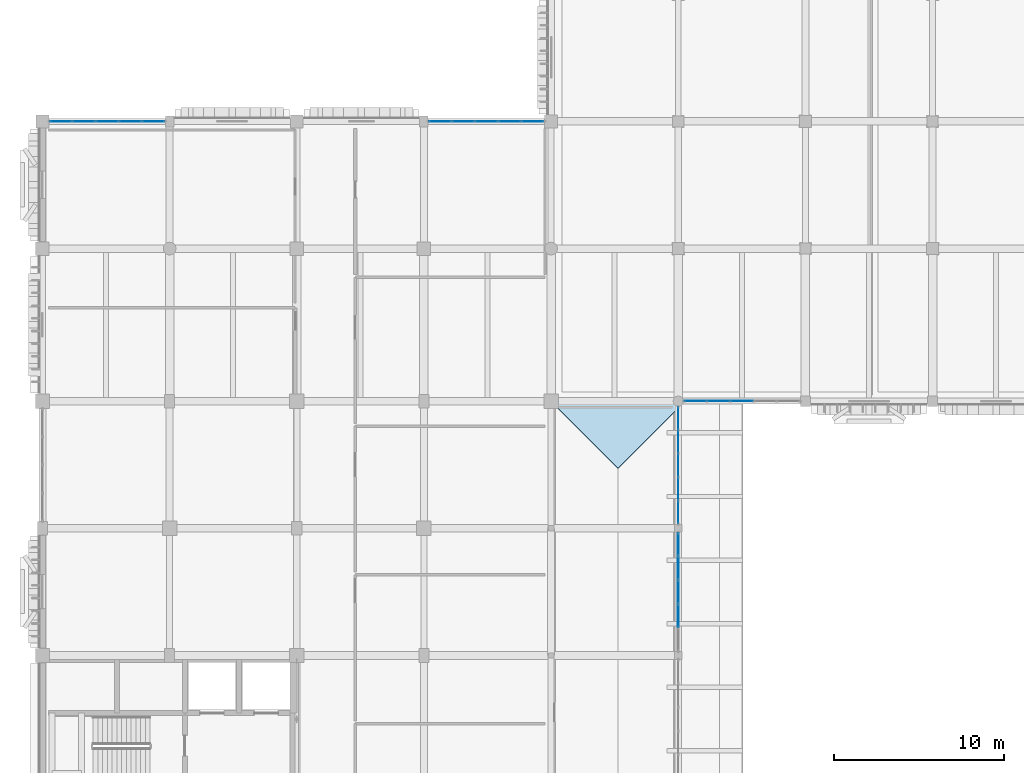
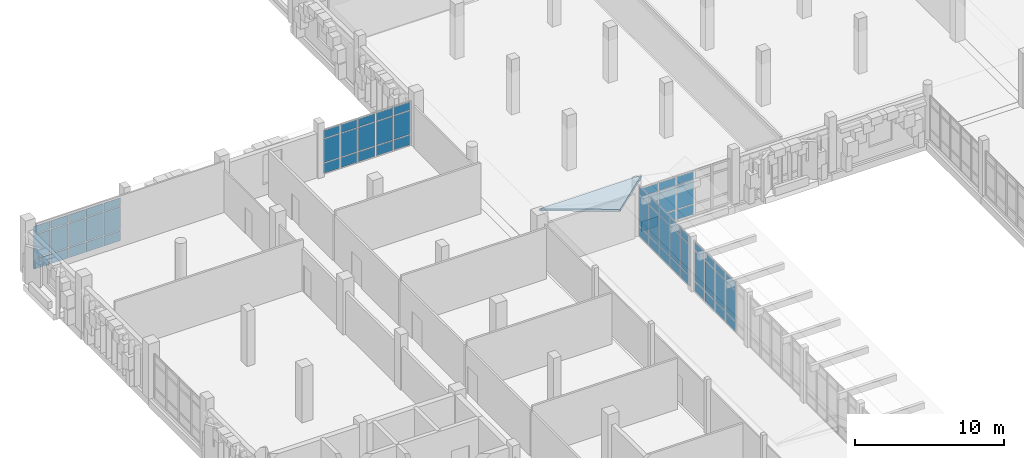
# One storey, part 82 of 128: 66 plates, 1 slab, 6 elements without a shape of their own.
"""IFC4 building model written with IfcOpenShell, lengths in metres."""

from ifc_helpers import new_model, si_unit, direction, frame, origin, origin_2d, place, context, subcontext, project, spatial, polyline, rectangle, outline, extrude, material, layer, layer_set, type_object, element, aggregate, save


model = new_model("IFC4")

# Units and contexts
model_context = context("Model", 3, precision=1e-05, world=origin(), true_north=direction((0.0, 1.0)))
body_context = subcontext(model_context, "Body", "Model", "MODEL_VIEW")
ifc_project = project(units=[si_unit("LENGTHUNIT", "METRE"), si_unit("AREAUNIT", "SQUARE_METRE"), si_unit("VOLUMEUNIT", "CUBIC_METRE"), si_unit("PLANEANGLEUNIT", "RADIAN"), si_unit("MASSUNIT", "GRAM", prefix="KILO")], contexts=[model_context])

# Site, building, storey
site_placement = place(None, origin())
site = spatial("IfcSite", under=ifc_project, at=site_placement, CompositionType="ELEMENT")
building_placement = place(site_placement, origin())
building = spatial("IfcBuilding", under=site, at=building_placement, Name="Dalvernix Boulevard General Hospital", CompositionType="ELEMENT")
storey_placement = place(building_placement, frame((0.0, 0.0, 4.800048828125)))
storey = spatial("IfcBuildingStorey", under=building, at=storey_placement, Name="L01", CompositionType="ELEMENT", Elevation=4.800048828125)

# Curtain wall, plates
ifc_material_1 = material(Name="Thermally broken aluminium and solar-control glass curtain wall", Category="aluminium")
ifc_layer_1 = layer(ifc_material_1, 0.159912109375)
ifc_layer_set_1 = layer_set([ifc_layer_1], Name="Thermally broken aluminium and solar-control glass curtain wall (CW-CW-A-70x42)")
curtain_wall_type_1 = type_object("IfcCurtainWallType", Name="CW-CW-A-70x42", PredefinedType="USERDEFINED", material=ifc_layer_set_1)
curtain_wall_1_placement = place(storey_placement, origin())
curtain_wall_1 = element("IfcCurtainWall", 1, at=curtain_wall_1_placement, inside=storey, type_object=curtain_wall_type_1, Name="L01 curtain wall CW-A-70x42 5-9", ObjectType="GLAZED FACADE", PredefinedType="USERDEFINED")
ifc_material_2 = material(Name="Double-glazed solar-control low-emissivity glass", Category="glass")
ifc_layer_2 = layer(ifc_material_2, 0.02392578125)
ifc_layer_set_2 = layer_set([ifc_layer_2], Name="Double-glazed solar-control low-emissivity glass (PLT-CW-P1)")
plate_type_1 = type_object("IfcPlateType", Name="PLT-CW-P1", PredefinedType="CURTAIN_PANEL", material=ifc_layer_set_2)
plate_1_placement = place(storey_placement, frame((37.5, 75.4794921875, 0.059814453125), z_axis=(0.0, 0.0, 1.0), x_axis=(0.0, -1.0, 0.0)))
plate_1 = element("IfcPlate", 2, at=plate_1_placement, type_object=plate_type_1, Name="CW-A-70x42 panel 1.1", PredefinedType="CURTAIN_PANEL", context=body_context, shape_type="SweptSolid", body=[
    extrude(rectangle(XDim=1.301025390625, YDim=0.02392578125, at=origin_2d()), origin(), (0.0, 0.0, 1.0), 0.81005859375),
])
plate_2_placement = place(storey_placement, frame((37.5, 75.4794921875, 0.93017578125), z_axis=(0.0, 0.0, 1.0), x_axis=(0.0, -1.0, 0.0)))
plate_2 = element("IfcPlate", 3, at=plate_2_placement, type_object=plate_type_1, Name="CW-A-70x42 panel 1.2", PredefinedType="CURTAIN_PANEL", context=body_context, shape_type="SweptSolid", body=[
    extrude(rectangle(XDim=1.301025390625, YDim=0.02392578125, at=origin_2d()), origin(), (0.0, 0.0, 1.0), 2.469970703125),
])
plate_3_placement = place(storey_placement, frame((37.5, 75.4794921875, 3.4599609375), z_axis=(0.0, 0.0, 1.0), x_axis=(0.0, -1.0, 0.0)))
plate_3 = element("IfcPlate", 4, at=plate_3_placement, type_object=plate_type_1, Name="CW-A-70x42 panel 1.3", PredefinedType="CURTAIN_PANEL", context=body_context, shape_type="SweptSolid", body=[
    extrude(rectangle(XDim=1.301025390625, YDim=0.02392578125, at=origin_2d()), origin(), (0.0, 0.0, 1.0), 0.659912109375),
])
plate_4_placement = place(storey_placement, frame((37.5, 74.103515625, 0.059814453125), z_axis=(0.0, 0.0, 1.0), x_axis=(0.0, -1.0, 0.0)))
plate_4 = element("IfcPlate", 5, at=plate_4_placement, type_object=plate_type_1, Name="CW-A-70x42 panel 2.1", PredefinedType="CURTAIN_PANEL", context=body_context, shape_type="SweptSolid", body=[
    extrude(rectangle(XDim=1.3310546875, YDim=0.02392578125, at=origin_2d()), origin(), (0.0, 0.0, 1.0), 0.81005859375),
])
plate_5_placement = place(storey_placement, frame((37.5, 74.103515625, 0.93017578125), z_axis=(0.0, 0.0, 1.0), x_axis=(0.0, -1.0, 0.0)))
plate_5 = element("IfcPlate", 6, at=plate_5_placement, type_object=plate_type_1, Name="CW-A-70x42 panel 2.2", PredefinedType="CURTAIN_PANEL", context=body_context, shape_type="SweptSolid", body=[
    extrude(rectangle(XDim=1.3310546875, YDim=0.02392578125, at=origin_2d()), origin(), (0.0, 0.0, 1.0), 2.469970703125),
])
plate_6_placement = place(storey_placement, frame((37.5, 74.103515625, 3.4599609375), z_axis=(0.0, 0.0, 1.0), x_axis=(0.0, -1.0, 0.0)))
plate_6 = element("IfcPlate", 7, at=plate_6_placement, type_object=plate_type_1, Name="CW-A-70x42 panel 2.3", PredefinedType="CURTAIN_PANEL", context=body_context, shape_type="SweptSolid", body=[
    extrude(rectangle(XDim=1.3310546875, YDim=0.02392578125, at=origin_2d()), origin(), (0.0, 0.0, 1.0), 0.659912109375),
])
plate_7_placement = place(storey_placement, frame((37.5, 72.71240234375, 0.059814453125), z_axis=(0.0, 0.0, 1.0), x_axis=(0.0, -1.0, 0.0)))
plate_7 = element("IfcPlate", 8, at=plate_7_placement, type_object=plate_type_1, Name="CW-A-70x42 panel 3.1", PredefinedType="CURTAIN_PANEL", context=body_context, shape_type="SweptSolid", body=[
    extrude(rectangle(XDim=1.3310546875, YDim=0.02392578125, at=origin_2d()), origin(), (0.0, 0.0, 1.0), 0.81005859375),
])
plate_8_placement = place(storey_placement, frame((37.5, 72.71240234375, 0.93017578125), z_axis=(0.0, 0.0, 1.0), x_axis=(0.0, -1.0, 0.0)))
plate_8 = element("IfcPlate", 9, at=plate_8_placement, type_object=plate_type_1, Name="CW-A-70x42 panel 3.2", PredefinedType="CURTAIN_PANEL", context=body_context, shape_type="SweptSolid", body=[
    extrude(rectangle(XDim=1.3310546875, YDim=0.02392578125, at=origin_2d()), origin(), (0.0, 0.0, 1.0), 2.469970703125),
])
plate_9_placement = place(storey_placement, frame((37.5, 72.71240234375, 3.4599609375), z_axis=(0.0, 0.0, 1.0), x_axis=(0.0, -1.0, 0.0)))
plate_9 = element("IfcPlate", 10, at=plate_9_placement, type_object=plate_type_1, Name="CW-A-70x42 panel 3.3", PredefinedType="CURTAIN_PANEL", context=body_context, shape_type="SweptSolid", body=[
    extrude(rectangle(XDim=1.3310546875, YDim=0.02392578125, at=origin_2d()), origin(), (0.0, 0.0, 1.0), 0.659912109375),
])
plate_10_placement = place(storey_placement, frame((37.5, 71.321533203125, 0.059814453125), z_axis=(0.0, 0.0, 1.0), x_axis=(0.0, -1.0, 0.0)))
plate_10 = element("IfcPlate", 11, at=plate_10_placement, type_object=plate_type_1, Name="CW-A-70x42 panel 4.1", PredefinedType="CURTAIN_PANEL", context=body_context, shape_type="SweptSolid", body=[
    extrude(rectangle(XDim=1.3310546875, YDim=0.02392578125, at=origin_2d()), origin(), (0.0, 0.0, 1.0), 0.81005859375),
])
plate_11_placement = place(storey_placement, frame((37.5, 71.321533203125, 0.93017578125), z_axis=(0.0, 0.0, 1.0), x_axis=(0.0, -1.0, 0.0)))
plate_11 = element("IfcPlate", 12, at=plate_11_placement, type_object=plate_type_1, Name="CW-A-70x42 panel 4.2", PredefinedType="CURTAIN_PANEL", context=body_context, shape_type="SweptSolid", body=[
    extrude(rectangle(XDim=1.3310546875, YDim=0.02392578125, at=origin_2d()), origin(), (0.0, 0.0, 1.0), 2.469970703125),
])
plate_12_placement = place(storey_placement, frame((37.5, 71.321533203125, 3.4599609375), z_axis=(0.0, 0.0, 1.0), x_axis=(0.0, -1.0, 0.0)))
plate_12 = element("IfcPlate", 13, at=plate_12_placement, type_object=plate_type_1, Name="CW-A-70x42 panel 4.3", PredefinedType="CURTAIN_PANEL", context=body_context, shape_type="SweptSolid", body=[
    extrude(rectangle(XDim=1.3310546875, YDim=0.02392578125, at=origin_2d()), origin(), (0.0, 0.0, 1.0), 0.659912109375),
])
plate_13_placement = place(storey_placement, frame((37.5, 69.945556640625, 0.059814453125), z_axis=(0.0, 0.0, 1.0), x_axis=(0.0, -1.0, 0.0)))
plate_13 = element("IfcPlate", 14, at=plate_13_placement, type_object=plate_type_1, Name="CW-A-70x42 panel 5.1", PredefinedType="CURTAIN_PANEL", context=body_context, shape_type="SweptSolid", body=[
    extrude(rectangle(XDim=1.301025390625, YDim=0.02392578125, at=origin_2d()), origin(), (0.0, 0.0, 1.0), 0.81005859375),
])
plate_14_placement = place(storey_placement, frame((37.5, 69.945556640625, 0.93017578125), z_axis=(0.0, 0.0, 1.0), x_axis=(0.0, -1.0, 0.0)))
plate_14 = element("IfcPlate", 15, at=plate_14_placement, type_object=plate_type_1, Name="CW-A-70x42 panel 5.2", PredefinedType="CURTAIN_PANEL", context=body_context, shape_type="SweptSolid", body=[
    extrude(rectangle(XDim=1.301025390625, YDim=0.02392578125, at=origin_2d()), origin(), (0.0, 0.0, 1.0), 2.469970703125),
])
plate_15_placement = place(storey_placement, frame((37.5, 69.945556640625, 3.4599609375), z_axis=(0.0, 0.0, 1.0), x_axis=(0.0, -1.0, 0.0)))
plate_15 = element("IfcPlate", 16, at=plate_15_placement, type_object=plate_type_1, Name="CW-A-70x42 panel 5.3", PredefinedType="CURTAIN_PANEL", context=body_context, shape_type="SweptSolid", body=[
    extrude(rectangle(XDim=1.301025390625, YDim=0.02392578125, at=origin_2d()), origin(), (0.0, 0.0, 1.0), 0.659912109375),
])
aggregate(curtain_wall_1, [plate_1, plate_2, plate_3, plate_4, plate_5, plate_6, plate_7, plate_8, plate_9, plate_10, plate_11, plate_12, plate_13, plate_14, plate_15])

ifc_layer_3 = layer(ifc_material_1, 0.179931640625)
ifc_layer_set_3 = layer_set([ifc_layer_3], Name="Thermally broken aluminium and solar-control glass curtain wall (CW-CW-B-69x36)")
curtain_wall_type_2 = type_object("IfcCurtainWallType", Name="CW-CW-B-69x36", PredefinedType="USERDEFINED", material=ifc_layer_set_3)
curtain_wall_2_placement = place(storey_placement, origin())
curtain_wall_2 = element("IfcCurtainWall", 17, at=curtain_wall_2_placement, inside=storey, type_object=curtain_wall_type_2, Name="L01 curtain wall CW-B-69x36 0-12", ObjectType="GLAZED FACADE", PredefinedType="USERDEFINED")
ifc_layer_4 = layer(ifc_material_2, 0.028076171875)
ifc_layer_set_4 = layer_set([ifc_layer_4], Name="Double-glazed solar-control low-emissivity glass (PLT-CW-P2)")
plate_type_2 = type_object("IfcPlateType", Name="PLT-CW-P2", PredefinedType="CURTAIN_PANEL", material=ifc_layer_set_4)
plate_16_placement = place(storey_placement, frame((1.086669921875, 93.0, 0.06494140625), z_axis=(0.0, 0.0, 1.0), x_axis=(1.0, 0.0, 0.0)))
plate_16 = element("IfcPlate", 18, at=plate_16_placement, type_object=plate_type_2, Name="CW-B-69x36 panel 1.1", PredefinedType="CURTAIN_PANEL", context=body_context, shape_type="SweptSolid", body=[
    extrude(rectangle(XDim=1.2734375, YDim=0.028076171875, at=origin_2d()), origin(), (0.0, 0.0, 1.0), 0.802490234375),
])
plate_17_placement = place(storey_placement, frame((1.086669921875, 93.0, 0.932373046875), z_axis=(0.0, 0.0, 1.0), x_axis=(1.0, 0.0, 0.0)))
plate_17 = element("IfcPlate", 19, at=plate_17_placement, type_object=plate_type_2, Name="CW-B-69x36 panel 1.2", PredefinedType="CURTAIN_PANEL", context=body_context, shape_type="SweptSolid", body=[
    extrude(rectangle(XDim=1.2734375, YDim=0.028076171875, at=origin_2d()), origin(), (0.0, 0.0, 1.0), 1.9150390625),
])
plate_18_placement = place(storey_placement, frame((1.086669921875, 93.0, 2.91259765625), z_axis=(0.0, 0.0, 1.0), x_axis=(1.0, 0.0, 0.0)))
plate_18 = element("IfcPlate", 20, at=plate_18_placement, type_object=plate_type_2, Name="CW-B-69x36 panel 1.3", PredefinedType="CURTAIN_PANEL", context=body_context, shape_type="SweptSolid", body=[
    extrude(rectangle(XDim=1.2734375, YDim=0.028076171875, at=origin_2d()), origin(), (0.0, 0.0, 1.0), 0.652587890625),
])
plate_19_placement = place(storey_placement, frame((2.44140625, 93.0, 0.06494140625), z_axis=(0.0, 0.0, 1.0), x_axis=(1.0, 0.0, 0.0)))
plate_19 = element("IfcPlate", 21, at=plate_19_placement, type_object=plate_type_2, Name="CW-B-69x36 panel 2.1", PredefinedType="CURTAIN_PANEL", context=body_context, shape_type="SweptSolid", body=[
    extrude(rectangle(XDim=1.305908203125, YDim=0.028076171875, at=origin_2d()), origin(), (0.0, 0.0, 1.0), 0.802490234375),
])
plate_20_placement = place(storey_placement, frame((2.44140625, 93.0, 0.932373046875), z_axis=(0.0, 0.0, 1.0), x_axis=(1.0, 0.0, 0.0)))
plate_20 = element("IfcPlate", 22, at=plate_20_placement, type_object=plate_type_2, Name="CW-B-69x36 panel 2.2", PredefinedType="CURTAIN_PANEL", context=body_context, shape_type="SweptSolid", body=[
    extrude(rectangle(XDim=1.305908203125, YDim=0.028076171875, at=origin_2d()), origin(), (0.0, 0.0, 1.0), 1.9150390625),
])
plate_21_placement = place(storey_placement, frame((2.44140625, 93.0, 2.91259765625), z_axis=(0.0, 0.0, 1.0), x_axis=(1.0, 0.0, 0.0)))
plate_21 = element("IfcPlate", 23, at=plate_21_placement, type_object=plate_type_2, Name="CW-B-69x36 panel 2.3", PredefinedType="CURTAIN_PANEL", context=body_context, shape_type="SweptSolid", body=[
    extrude(rectangle(XDim=1.305908203125, YDim=0.028076171875, at=origin_2d()), origin(), (0.0, 0.0, 1.0), 0.652587890625),
])
plate_22_placement = place(storey_placement, frame((3.8125, 93.0, 0.06494140625), z_axis=(0.0, 0.0, 1.0), x_axis=(1.0, 0.0, 0.0)))
plate_22 = element("IfcPlate", 24, at=plate_22_placement, type_object=plate_type_2, Name="CW-B-69x36 panel 3.1", PredefinedType="CURTAIN_PANEL", context=body_context, shape_type="SweptSolid", body=[
    extrude(rectangle(XDim=1.305908203125, YDim=0.028076171875, at=origin_2d()), origin(), (0.0, 0.0, 1.0), 0.802490234375),
])
plate_23_placement = place(storey_placement, frame((3.8125, 93.0, 0.932373046875), z_axis=(0.0, 0.0, 1.0), x_axis=(1.0, 0.0, 0.0)))
plate_23 = element("IfcPlate", 25, at=plate_23_placement, type_object=plate_type_2, Name="CW-B-69x36 panel 3.2", PredefinedType="CURTAIN_PANEL", context=body_context, shape_type="SweptSolid", body=[
    extrude(rectangle(XDim=1.305908203125, YDim=0.028076171875, at=origin_2d()), origin(), (0.0, 0.0, 1.0), 1.9150390625),
])
plate_24_placement = place(storey_placement, frame((3.8125, 93.0, 2.91259765625), z_axis=(0.0, 0.0, 1.0), x_axis=(1.0, 0.0, 0.0)))
plate_24 = element("IfcPlate", 26, at=plate_24_placement, type_object=plate_type_2, Name="CW-B-69x36 panel 3.3", PredefinedType="CURTAIN_PANEL", context=body_context, shape_type="SweptSolid", body=[
    extrude(rectangle(XDim=1.305908203125, YDim=0.028076171875, at=origin_2d()), origin(), (0.0, 0.0, 1.0), 0.652587890625),
])
plate_25_placement = place(storey_placement, frame((5.18359375, 93.0, 0.06494140625), z_axis=(0.0, 0.0, 1.0), x_axis=(1.0, 0.0, 0.0)))
plate_25 = element("IfcPlate", 27, at=plate_25_placement, type_object=plate_type_2, Name="CW-B-69x36 panel 4.1", PredefinedType="CURTAIN_PANEL", context=body_context, shape_type="SweptSolid", body=[
    extrude(rectangle(XDim=1.305908203125, YDim=0.028076171875, at=origin_2d()), origin(), (0.0, 0.0, 1.0), 0.802490234375),
])
plate_26_placement = place(storey_placement, frame((5.18359375, 93.0, 0.932373046875), z_axis=(0.0, 0.0, 1.0), x_axis=(1.0, 0.0, 0.0)))
plate_26 = element("IfcPlate", 28, at=plate_26_placement, type_object=plate_type_2, Name="CW-B-69x36 panel 4.2", PredefinedType="CURTAIN_PANEL", context=body_context, shape_type="SweptSolid", body=[
    extrude(rectangle(XDim=1.305908203125, YDim=0.028076171875, at=origin_2d()), origin(), (0.0, 0.0, 1.0), 1.9150390625),
])
plate_27_placement = place(storey_placement, frame((5.18359375, 93.0, 2.91259765625), z_axis=(0.0, 0.0, 1.0), x_axis=(1.0, 0.0, 0.0)))
plate_27 = element("IfcPlate", 29, at=plate_27_placement, type_object=plate_type_2, Name="CW-B-69x36 panel 4.3", PredefinedType="CURTAIN_PANEL", context=body_context, shape_type="SweptSolid", body=[
    extrude(rectangle(XDim=1.305908203125, YDim=0.028076171875, at=origin_2d()), origin(), (0.0, 0.0, 1.0), 0.652587890625),
])
plate_28_placement = place(storey_placement, frame((6.538330078125, 93.0, 0.06494140625), z_axis=(0.0, 0.0, 1.0), x_axis=(1.0, 0.0, 0.0)))
plate_28 = element("IfcPlate", 30, at=plate_28_placement, type_object=plate_type_2, Name="CW-B-69x36 panel 5.1", PredefinedType="CURTAIN_PANEL", context=body_context, shape_type="SweptSolid", body=[
    extrude(rectangle(XDim=1.2734375, YDim=0.028076171875, at=origin_2d()), origin(), (0.0, 0.0, 1.0), 0.802490234375),
])
plate_29_placement = place(storey_placement, frame((6.538330078125, 93.0, 0.932373046875), z_axis=(0.0, 0.0, 1.0), x_axis=(1.0, 0.0, 0.0)))
plate_29 = element("IfcPlate", 31, at=plate_29_placement, type_object=plate_type_2, Name="CW-B-69x36 panel 5.2", PredefinedType="CURTAIN_PANEL", context=body_context, shape_type="SweptSolid", body=[
    extrude(rectangle(XDim=1.2734375, YDim=0.028076171875, at=origin_2d()), origin(), (0.0, 0.0, 1.0), 1.9150390625),
])
plate_30_placement = place(storey_placement, frame((6.538330078125, 93.0, 2.91259765625), z_axis=(0.0, 0.0, 1.0), x_axis=(1.0, 0.0, 0.0)))
plate_30 = element("IfcPlate", 32, at=plate_30_placement, type_object=plate_type_2, Name="CW-B-69x36 panel 5.3", PredefinedType="CURTAIN_PANEL", context=body_context, shape_type="SweptSolid", body=[
    extrude(rectangle(XDim=1.2734375, YDim=0.028076171875, at=origin_2d()), origin(), (0.0, 0.0, 1.0), 0.652587890625),
])
aggregate(curtain_wall_2, [plate_16, plate_17, plate_18, plate_19, plate_20, plate_21, plate_22, plate_23, plate_24, plate_25, plate_26, plate_27, plate_28, plate_29, plate_30])

curtain_wall_3_placement = place(storey_placement, origin())
curtain_wall_3 = element("IfcCurtainWall", 33, at=curtain_wall_3_placement, inside=storey, type_object=curtain_wall_type_2, Name="L01 curtain wall CW-B-69x36 3-12", ObjectType="GLAZED FACADE", PredefinedType="USERDEFINED")
plate_31_placement = place(storey_placement, frame((23.461669921875, 93.0, 0.06494140625), z_axis=(0.0, 0.0, 1.0), x_axis=(1.0, 0.0, 0.0)))
plate_31 = element("IfcPlate", 34, at=plate_31_placement, type_object=plate_type_2, Name="CW-B-69x36 panel 1.1", PredefinedType="CURTAIN_PANEL", context=body_context, shape_type="SweptSolid", body=[
    extrude(rectangle(XDim=1.2734375, YDim=0.028076171875, at=origin_2d()), origin(), (0.0, 0.0, 1.0), 0.802490234375),
])
plate_32_placement = place(storey_placement, frame((23.461669921875, 93.0, 0.932373046875), z_axis=(0.0, 0.0, 1.0), x_axis=(1.0, 0.0, 0.0)))
plate_32 = element("IfcPlate", 35, at=plate_32_placement, type_object=plate_type_2, Name="CW-B-69x36 panel 1.2", PredefinedType="CURTAIN_PANEL", context=body_context, shape_type="SweptSolid", body=[
    extrude(rectangle(XDim=1.2734375, YDim=0.028076171875, at=origin_2d()), origin(), (0.0, 0.0, 1.0), 1.9150390625),
])
plate_33_placement = place(storey_placement, frame((23.461669921875, 93.0, 2.91259765625), z_axis=(0.0, 0.0, 1.0), x_axis=(1.0, 0.0, 0.0)))
plate_33 = element("IfcPlate", 36, at=plate_33_placement, type_object=plate_type_2, Name="CW-B-69x36 panel 1.3", PredefinedType="CURTAIN_PANEL", context=body_context, shape_type="SweptSolid", body=[
    extrude(rectangle(XDim=1.2734375, YDim=0.028076171875, at=origin_2d()), origin(), (0.0, 0.0, 1.0), 0.652587890625),
])
plate_34_placement = place(storey_placement, frame((24.81640625, 93.0, 0.06494140625), z_axis=(0.0, 0.0, 1.0), x_axis=(1.0, 0.0, 0.0)))
plate_34 = element("IfcPlate", 37, at=plate_34_placement, type_object=plate_type_2, Name="CW-B-69x36 panel 2.1", PredefinedType="CURTAIN_PANEL", context=body_context, shape_type="SweptSolid", body=[
    extrude(rectangle(XDim=1.305908203125, YDim=0.028076171875, at=origin_2d()), origin(), (0.0, 0.0, 1.0), 0.802490234375),
])
plate_35_placement = place(storey_placement, frame((24.81640625, 93.0, 0.932373046875), z_axis=(0.0, 0.0, 1.0), x_axis=(1.0, 0.0, 0.0)))
plate_35 = element("IfcPlate", 38, at=plate_35_placement, type_object=plate_type_2, Name="CW-B-69x36 panel 2.2", PredefinedType="CURTAIN_PANEL", context=body_context, shape_type="SweptSolid", body=[
    extrude(rectangle(XDim=1.305908203125, YDim=0.028076171875, at=origin_2d()), origin(), (0.0, 0.0, 1.0), 1.9150390625),
])
plate_36_placement = place(storey_placement, frame((24.81640625, 93.0, 2.91259765625), z_axis=(0.0, 0.0, 1.0), x_axis=(1.0, 0.0, 0.0)))
plate_36 = element("IfcPlate", 39, at=plate_36_placement, type_object=plate_type_2, Name="CW-B-69x36 panel 2.3", PredefinedType="CURTAIN_PANEL", context=body_context, shape_type="SweptSolid", body=[
    extrude(rectangle(XDim=1.305908203125, YDim=0.028076171875, at=origin_2d()), origin(), (0.0, 0.0, 1.0), 0.652587890625),
])
plate_37_placement = place(storey_placement, frame((26.1875, 93.0, 0.06494140625), z_axis=(0.0, 0.0, 1.0), x_axis=(1.0, 0.0, 0.0)))
plate_37 = element("IfcPlate", 40, at=plate_37_placement, type_object=plate_type_2, Name="CW-B-69x36 panel 3.1", PredefinedType="CURTAIN_PANEL", context=body_context, shape_type="SweptSolid", body=[
    extrude(rectangle(XDim=1.305908203125, YDim=0.028076171875, at=origin_2d()), origin(), (0.0, 0.0, 1.0), 0.802490234375),
])
plate_38_placement = place(storey_placement, frame((26.1875, 93.0, 0.932373046875), z_axis=(0.0, 0.0, 1.0), x_axis=(1.0, 0.0, 0.0)))
plate_38 = element("IfcPlate", 41, at=plate_38_placement, type_object=plate_type_2, Name="CW-B-69x36 panel 3.2", PredefinedType="CURTAIN_PANEL", context=body_context, shape_type="SweptSolid", body=[
    extrude(rectangle(XDim=1.305908203125, YDim=0.028076171875, at=origin_2d()), origin(), (0.0, 0.0, 1.0), 1.9150390625),
])
plate_39_placement = place(storey_placement, frame((26.1875, 93.0, 2.91259765625), z_axis=(0.0, 0.0, 1.0), x_axis=(1.0, 0.0, 0.0)))
plate_39 = element("IfcPlate", 42, at=plate_39_placement, type_object=plate_type_2, Name="CW-B-69x36 panel 3.3", PredefinedType="CURTAIN_PANEL", context=body_context, shape_type="SweptSolid", body=[
    extrude(rectangle(XDim=1.305908203125, YDim=0.028076171875, at=origin_2d()), origin(), (0.0, 0.0, 1.0), 0.652587890625),
])
plate_40_placement = place(storey_placement, frame((27.55859375, 93.0, 0.06494140625), z_axis=(0.0, 0.0, 1.0), x_axis=(1.0, 0.0, 0.0)))
plate_40 = element("IfcPlate", 43, at=plate_40_placement, type_object=plate_type_2, Name="CW-B-69x36 panel 4.1", PredefinedType="CURTAIN_PANEL", context=body_context, shape_type="SweptSolid", body=[
    extrude(rectangle(XDim=1.305908203125, YDim=0.028076171875, at=origin_2d()), origin(), (0.0, 0.0, 1.0), 0.802490234375),
])
plate_41_placement = place(storey_placement, frame((27.55859375, 93.0, 0.932373046875), z_axis=(0.0, 0.0, 1.0), x_axis=(1.0, 0.0, 0.0)))
plate_41 = element("IfcPlate", 44, at=plate_41_placement, type_object=plate_type_2, Name="CW-B-69x36 panel 4.2", PredefinedType="CURTAIN_PANEL", context=body_context, shape_type="SweptSolid", body=[
    extrude(rectangle(XDim=1.305908203125, YDim=0.028076171875, at=origin_2d()), origin(), (0.0, 0.0, 1.0), 1.9150390625),
])
plate_42_placement = place(storey_placement, frame((27.55859375, 93.0, 2.91259765625), z_axis=(0.0, 0.0, 1.0), x_axis=(1.0, 0.0, 0.0)))
plate_42 = element("IfcPlate", 45, at=plate_42_placement, type_object=plate_type_2, Name="CW-B-69x36 panel 4.3", PredefinedType="CURTAIN_PANEL", context=body_context, shape_type="SweptSolid", body=[
    extrude(rectangle(XDim=1.305908203125, YDim=0.028076171875, at=origin_2d()), origin(), (0.0, 0.0, 1.0), 0.652587890625),
])
plate_43_placement = place(storey_placement, frame((28.913330078125, 93.0, 0.06494140625), z_axis=(0.0, 0.0, 1.0), x_axis=(1.0, 0.0, 0.0)))
plate_43 = element("IfcPlate", 46, at=plate_43_placement, type_object=plate_type_2, Name="CW-B-69x36 panel 5.1", PredefinedType="CURTAIN_PANEL", context=body_context, shape_type="SweptSolid", body=[
    extrude(rectangle(XDim=1.2734375, YDim=0.028076171875, at=origin_2d()), origin(), (0.0, 0.0, 1.0), 0.802490234375),
])
plate_44_placement = place(storey_placement, frame((28.913330078125, 93.0, 0.932373046875), z_axis=(0.0, 0.0, 1.0), x_axis=(1.0, 0.0, 0.0)))
plate_44 = element("IfcPlate", 47, at=plate_44_placement, type_object=plate_type_2, Name="CW-B-69x36 panel 5.2", PredefinedType="CURTAIN_PANEL", context=body_context, shape_type="SweptSolid", body=[
    extrude(rectangle(XDim=1.2734375, YDim=0.028076171875, at=origin_2d()), origin(), (0.0, 0.0, 1.0), 1.9150390625),
])
plate_45_placement = place(storey_placement, frame((28.913330078125, 93.0, 2.91259765625), z_axis=(0.0, 0.0, 1.0), x_axis=(1.0, 0.0, 0.0)))
plate_45 = element("IfcPlate", 48, at=plate_45_placement, type_object=plate_type_2, Name="CW-B-69x36 panel 5.3", PredefinedType="CURTAIN_PANEL", context=body_context, shape_type="SweptSolid", body=[
    extrude(rectangle(XDim=1.2734375, YDim=0.028076171875, at=origin_2d()), origin(), (0.0, 0.0, 1.0), 0.652587890625),
])
aggregate(curtain_wall_3, [plate_31, plate_32, plate_33, plate_34, plate_35, plate_36, plate_37, plate_38, plate_39, plate_40, plate_41, plate_42, plate_43, plate_44, plate_45])

curtain_wall_4_placement = place(storey_placement, origin())
curtain_wall_4 = element("IfcCurtainWall", 49, at=curtain_wall_4_placement, inside=storey, type_object=curtain_wall_type_2, Name="L01 curtain wall CW-B-69x36 5-10", ObjectType="GLAZED FACADE", PredefinedType="USERDEFINED")
plate_46_placement = place(storey_placement, frame((41.25, 76.5, 0.06494140625), z_axis=(0.0, 0.0, 1.0), x_axis=(-1.0, 0.0, 0.0)))
plate_46 = element("IfcPlate", 50, at=plate_46_placement, type_object=plate_type_2, Name="CW-B-69x36 panel 3.1", PredefinedType="CURTAIN_PANEL", context=body_context, shape_type="SweptSolid", body=[
    extrude(rectangle(XDim=1.31103515625, YDim=0.028076171875, at=origin_2d()), origin(), (0.0, 0.0, 1.0), 0.802490234375),
])
plate_47_placement = place(storey_placement, frame((41.25, 76.5, 0.932373046875), z_axis=(0.0, 0.0, 1.0), x_axis=(-1.0, 0.0, 0.0)))
plate_47 = element("IfcPlate", 51, at=plate_47_placement, type_object=plate_type_2, Name="CW-B-69x36 panel 3.2", PredefinedType="CURTAIN_PANEL", context=body_context, shape_type="SweptSolid", body=[
    extrude(rectangle(XDim=1.31103515625, YDim=0.028076171875, at=origin_2d()), origin(), (0.0, 0.0, 1.0), 1.9150390625),
])
plate_48_placement = place(storey_placement, frame((41.25, 76.5, 2.91259765625), z_axis=(0.0, 0.0, 1.0), x_axis=(-1.0, 0.0, 0.0)))
plate_48 = element("IfcPlate", 52, at=plate_48_placement, type_object=plate_type_2, Name="CW-B-69x36 panel 3.3", PredefinedType="CURTAIN_PANEL", context=body_context, shape_type="SweptSolid", body=[
    extrude(rectangle(XDim=1.31103515625, YDim=0.028076171875, at=origin_2d()), origin(), (0.0, 0.0, 1.0), 0.652587890625),
])
plate_49_placement = place(storey_placement, frame((39.8740234375, 76.5, 0.06494140625), z_axis=(0.0, 0.0, 1.0), x_axis=(-1.0, 0.0, 0.0)))
plate_49 = element("IfcPlate", 53, at=plate_49_placement, type_object=plate_type_2, Name="CW-B-69x36 panel 4.1", PredefinedType="CURTAIN_PANEL", context=body_context, shape_type="SweptSolid", body=[
    extrude(rectangle(XDim=1.31103515625, YDim=0.028076171875, at=origin_2d()), origin(), (0.0, 0.0, 1.0), 0.802490234375),
])
plate_50_placement = place(storey_placement, frame((39.8740234375, 76.5, 0.932373046875), z_axis=(0.0, 0.0, 1.0), x_axis=(-1.0, 0.0, 0.0)))
plate_50 = element("IfcPlate", 54, at=plate_50_placement, type_object=plate_type_2, Name="CW-B-69x36 panel 4.2", PredefinedType="CURTAIN_PANEL", context=body_context, shape_type="SweptSolid", body=[
    extrude(rectangle(XDim=1.31103515625, YDim=0.028076171875, at=origin_2d()), origin(), (0.0, 0.0, 1.0), 1.9150390625),
])
plate_51_placement = place(storey_placement, frame((39.8740234375, 76.5, 2.91259765625), z_axis=(0.0, 0.0, 1.0), x_axis=(-1.0, 0.0, 0.0)))
plate_51 = element("IfcPlate", 55, at=plate_51_placement, type_object=plate_type_2, Name="CW-B-69x36 panel 4.3", PredefinedType="CURTAIN_PANEL", context=body_context, shape_type="SweptSolid", body=[
    extrude(rectangle(XDim=1.31103515625, YDim=0.028076171875, at=origin_2d()), origin(), (0.0, 0.0, 1.0), 0.652587890625),
])
plate_52_placement = place(storey_placement, frame((38.51416015625, 76.5, 0.06494140625), z_axis=(0.0, 0.0, 1.0), x_axis=(-1.0, 0.0, 0.0)))
plate_52 = element("IfcPlate", 56, at=plate_52_placement, type_object=plate_type_2, Name="CW-B-69x36 panel 5.1", PredefinedType="CURTAIN_PANEL", context=body_context, shape_type="SweptSolid", body=[
    extrude(rectangle(XDim=1.278564453125, YDim=0.028076171875, at=origin_2d()), origin(), (0.0, 0.0, 1.0), 0.802490234375),
])
plate_53_placement = place(storey_placement, frame((38.51416015625, 76.5, 0.932373046875), z_axis=(0.0, 0.0, 1.0), x_axis=(-1.0, 0.0, 0.0)))
plate_53 = element("IfcPlate", 57, at=plate_53_placement, type_object=plate_type_2, Name="CW-B-69x36 panel 5.2", PredefinedType="CURTAIN_PANEL", context=body_context, shape_type="SweptSolid", body=[
    extrude(rectangle(XDim=1.278564453125, YDim=0.028076171875, at=origin_2d()), origin(), (0.0, 0.0, 1.0), 1.9150390625),
])
plate_54_placement = place(storey_placement, frame((38.51416015625, 76.5, 2.91259765625), z_axis=(0.0, 0.0, 1.0), x_axis=(-1.0, 0.0, 0.0)))
plate_54 = element("IfcPlate", 58, at=plate_54_placement, type_object=plate_type_2, Name="CW-B-69x36 panel 5.3", PredefinedType="CURTAIN_PANEL", context=body_context, shape_type="SweptSolid", body=[
    extrude(rectangle(XDim=1.278564453125, YDim=0.028076171875, at=origin_2d()), origin(), (0.0, 0.0, 1.0), 0.652587890625),
])
aggregate(curtain_wall_4, [plate_46, plate_47, plate_48, plate_49, plate_50, plate_51, plate_52, plate_53, plate_54])

ifc_layer_5 = layer(ifc_material_1, 0.199951171875)
ifc_layer_set_5 = layer_set([ifc_layer_5], Name="Thermally broken aluminium and solar-control glass curtain wall (CW-CW-C-70x42)")
curtain_wall_type_3 = type_object("IfcCurtainWallType", Name="CW-CW-C-70x42", PredefinedType="USERDEFINED", material=ifc_layer_set_5)
curtain_wall_5_placement = place(storey_placement, origin())
curtain_wall_5 = element("IfcCurtainWall", 59, at=curtain_wall_5_placement, inside=storey, type_object=curtain_wall_type_3, Name="L01 curtain wall CW-C-70x42 5-8", ObjectType="GLAZED FACADE", PredefinedType="USERDEFINED")
ifc_layer_6 = layer(ifc_material_2, 0.035888671875)
ifc_layer_set_6 = layer_set([ifc_layer_6], Name="Double-glazed solar-control low-emissivity glass (PLT-CW-P3)")
plate_type_3 = type_object("IfcPlateType", Name="PLT-CW-P3", PredefinedType="CURTAIN_PANEL", material=ifc_layer_set_6)
plate_55_placement = place(storey_placement, frame((37.5, 68.04443359375, 0.070068359375), z_axis=(0.0, 0.0, 1.0), x_axis=(0.0, -1.0, 0.0)))
plate_55 = element("IfcPlate", 60, at=plate_55_placement, type_object=plate_type_3, Name="CW-C-70x42 panel 1.1", PredefinedType="CURTAIN_PANEL", context=body_context, shape_type="SweptSolid", body=[
    extrude(rectangle(XDim=1.301025390625, YDim=0.035888671875, at=origin_2d()), origin(), (0.0, 0.0, 1.0), 0.794921875),
])
plate_56_placement = place(storey_placement, frame((37.5, 68.04443359375, 0.93505859375), z_axis=(0.0, 0.0, 1.0), x_axis=(0.0, -1.0, 0.0)))
plate_56 = element("IfcPlate", 61, at=plate_56_placement, type_object=plate_type_3, Name="CW-C-70x42 panel 1.2", PredefinedType="CURTAIN_PANEL", context=body_context, shape_type="SweptSolid", body=[
    extrude(rectangle(XDim=1.301025390625, YDim=0.035888671875, at=origin_2d()), origin(), (0.0, 0.0, 1.0), 2.4599609375),
])
plate_57_placement = place(storey_placement, frame((37.5, 68.04443359375, 3.46484375), z_axis=(0.0, 0.0, 1.0), x_axis=(0.0, -1.0, 0.0)))
plate_57 = element("IfcPlate", 62, at=plate_57_placement, type_object=plate_type_3, Name="CW-C-70x42 panel 1.3", PredefinedType="CURTAIN_PANEL", context=body_context, shape_type="SweptSolid", body=[
    extrude(rectangle(XDim=1.301025390625, YDim=0.035888671875, at=origin_2d()), origin(), (0.0, 0.0, 1.0), 0.64501953125),
])
plate_58_placement = place(storey_placement, frame((37.5, 66.656005859375, 0.070068359375), z_axis=(0.0, 0.0, 1.0), x_axis=(0.0, -1.0, 0.0)))
plate_58 = element("IfcPlate", 63, at=plate_58_placement, type_object=plate_type_3, Name="CW-C-70x42 panel 2.1", PredefinedType="CURTAIN_PANEL", context=body_context, shape_type="SweptSolid", body=[
    extrude(rectangle(XDim=1.3359375, YDim=0.035888671875, at=origin_2d()), origin(), (0.0, 0.0, 1.0), 0.794921875),
])
plate_59_placement = place(storey_placement, frame((37.5, 66.656005859375, 0.93505859375), z_axis=(0.0, 0.0, 1.0), x_axis=(0.0, -1.0, 0.0)))
plate_59 = element("IfcPlate", 64, at=plate_59_placement, type_object=plate_type_3, Name="CW-C-70x42 panel 2.2", PredefinedType="CURTAIN_PANEL", context=body_context, shape_type="SweptSolid", body=[
    extrude(rectangle(XDim=1.3359375, YDim=0.035888671875, at=origin_2d()), origin(), (0.0, 0.0, 1.0), 2.4599609375),
])
plate_60_placement = place(storey_placement, frame((37.5, 66.656005859375, 3.46484375), z_axis=(0.0, 0.0, 1.0), x_axis=(0.0, -1.0, 0.0)))
plate_60 = element("IfcPlate", 65, at=plate_60_placement, type_object=plate_type_3, Name="CW-C-70x42 panel 2.3", PredefinedType="CURTAIN_PANEL", context=body_context, shape_type="SweptSolid", body=[
    extrude(rectangle(XDim=1.3359375, YDim=0.035888671875, at=origin_2d()), origin(), (0.0, 0.0, 1.0), 0.64501953125),
])
plate_61_placement = place(storey_placement, frame((37.5, 65.25, 0.070068359375), z_axis=(0.0, 0.0, 1.0), x_axis=(0.0, -1.0, 0.0)))
plate_61 = element("IfcPlate", 66, at=plate_61_placement, type_object=plate_type_3, Name="CW-C-70x42 panel 3.1", PredefinedType="CURTAIN_PANEL", context=body_context, shape_type="SweptSolid", body=[
    extrude(rectangle(XDim=1.3359375, YDim=0.035888671875, at=origin_2d()), origin(), (0.0, 0.0, 1.0), 0.794921875),
])
plate_62_placement = place(storey_placement, frame((37.5, 65.25, 0.93505859375), z_axis=(0.0, 0.0, 1.0), x_axis=(0.0, -1.0, 0.0)))
plate_62 = element("IfcPlate", 67, at=plate_62_placement, type_object=plate_type_3, Name="CW-C-70x42 panel 3.2", PredefinedType="CURTAIN_PANEL", context=body_context, shape_type="SweptSolid", body=[
    extrude(rectangle(XDim=1.3359375, YDim=0.035888671875, at=origin_2d()), origin(), (0.0, 0.0, 1.0), 2.4599609375),
])
plate_63_placement = place(storey_placement, frame((37.5, 65.25, 3.46484375), z_axis=(0.0, 0.0, 1.0), x_axis=(0.0, -1.0, 0.0)))
plate_63 = element("IfcPlate", 68, at=plate_63_placement, type_object=plate_type_3, Name="CW-C-70x42 panel 3.3", PredefinedType="CURTAIN_PANEL", context=body_context, shape_type="SweptSolid", body=[
    extrude(rectangle(XDim=1.3359375, YDim=0.035888671875, at=origin_2d()), origin(), (0.0, 0.0, 1.0), 0.64501953125),
])
plate_64_placement = place(storey_placement, frame((37.5, 63.843994140625, 0.070068359375), z_axis=(0.0, 0.0, 1.0), x_axis=(0.0, -1.0, 0.0)))
plate_64 = element("IfcPlate", 69, at=plate_64_placement, type_object=plate_type_3, Name="CW-C-70x42 panel 4.1", PredefinedType="CURTAIN_PANEL", context=body_context, shape_type="SweptSolid", body=[
    extrude(rectangle(XDim=1.3359375, YDim=0.035888671875, at=origin_2d()), origin(), (0.0, 0.0, 1.0), 0.794921875),
])
plate_65_placement = place(storey_placement, frame((37.5, 63.843994140625, 0.93505859375), z_axis=(0.0, 0.0, 1.0), x_axis=(0.0, -1.0, 0.0)))
plate_65 = element("IfcPlate", 70, at=plate_65_placement, type_object=plate_type_3, Name="CW-C-70x42 panel 4.2", PredefinedType="CURTAIN_PANEL", context=body_context, shape_type="SweptSolid", body=[
    extrude(rectangle(XDim=1.3359375, YDim=0.035888671875, at=origin_2d()), origin(), (0.0, 0.0, 1.0), 2.4599609375),
])
plate_66_placement = place(storey_placement, frame((37.5, 63.843994140625, 3.46484375), z_axis=(0.0, 0.0, 1.0), x_axis=(0.0, -1.0, 0.0)))
plate_66 = element("IfcPlate", 71, at=plate_66_placement, type_object=plate_type_3, Name="CW-C-70x42 panel 4.3", PredefinedType="CURTAIN_PANEL", context=body_context, shape_type="SweptSolid", body=[
    extrude(rectangle(XDim=1.3359375, YDim=0.035888671875, at=origin_2d()), origin(), (0.0, 0.0, 1.0), 0.64501953125),
])
aggregate(curtain_wall_5, [plate_55, plate_56, plate_57, plate_58, plate_59, plate_60, plate_61, plate_62, plate_63, plate_64, plate_65, plate_66])

# Roof, slab
ifc_material_3 = material(Name="Polychrome Catalan glazed terracotta tile roof system", Category="masonry")
roof_type = type_object("IfcRoofType", Name="ROOF-HIP-01", PredefinedType="HIP_ROOF", material=ifc_material_3)
roof_placement = place(storey_placement, origin())
roof = element("IfcRoof", 72, at=roof_placement, inside=storey, type_object=roof_type, Name="V6W Hipped Ceramic Roof", PredefinedType="HIP_ROOF")
ifc_material_4 = material(Name="Glulam GL28h", Category="wood")
ifc_layer_7 = layer(ifc_material_4, 0.159912109375)
ifc_layer_set_7 = layer_set([ifc_layer_7], Name="Glulam GL28h (SLB-RS-04)")
slab_type = type_object("IfcSlabType", Name="SLB-RS-04", PredefinedType="ROOF", material=ifc_layer_set_7)
slab_placement = place(storey_placement, frame((37.89990234375, 76.5, 4.664794921875), z_axis=(0.0, 0.238536653022, 0.971133495028), x_axis=(-1.0, 0.0, 0.0)))
slab = element("IfcSlab", 73, at=slab_placement, type_object=slab_type, Name="V6W hipped roof slab N", PredefinedType="ROOF", context=body_context, shape_type="SweptSolid", body=[
    extrude(outline(polyline([(0.0, 0.0), (7.89990234375, 0.0), (3.949951171875, 4.06736168827282), (0.0, 0.0)])), origin(), (0.0, 0.0, -1.0), 0.159912109375),
])
aggregate(roof, [slab])

save(model, "model.ifc")
